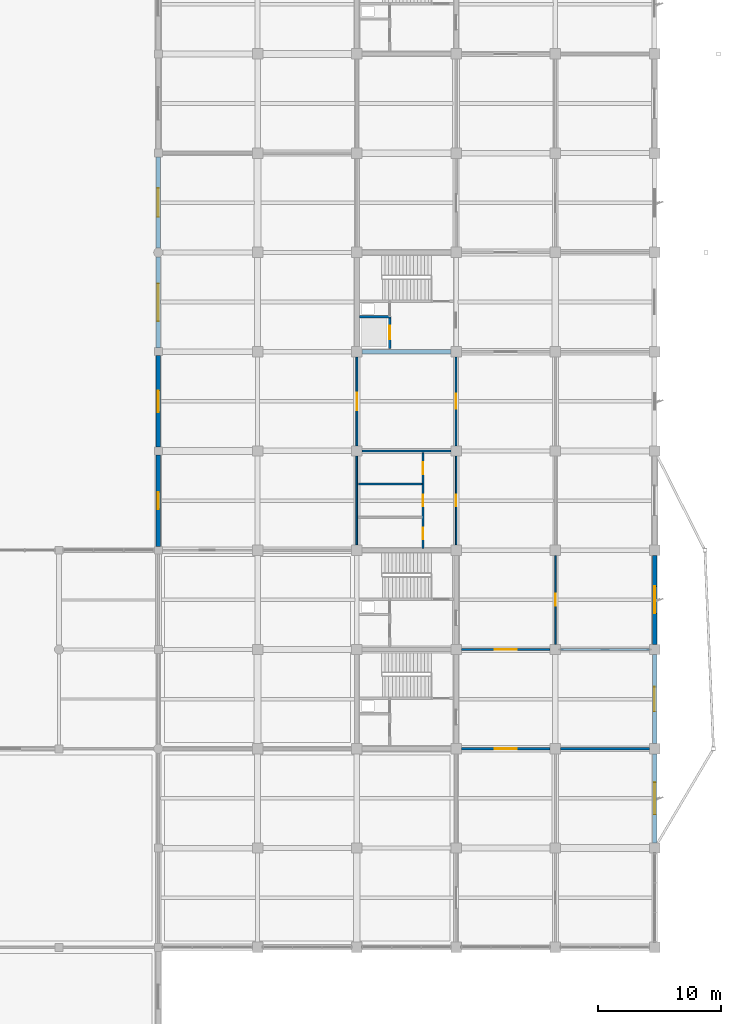
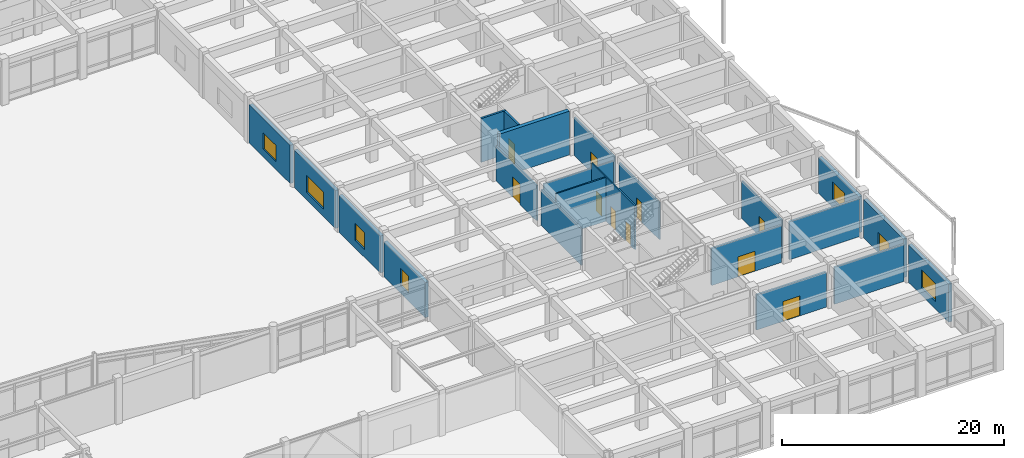
# One storey, part 69 of 99: 22 walls, 11 doors, 6 windows, 17 openings.
"""IFC4 building model written with IfcOpenShell, lengths in metres."""

from ifc_helpers import new_model, si_unit, direction, frame, frame_2d, origin, place, context, subcontext, project, spatial, rectangle, extrude, material, layer, layer_set, type_object, element, fill, save


model = new_model("IFC4")

# Units and contexts
model_context = context("Model", 3, precision=1e-05, world=origin(), true_north=direction((0.0, 1.0)))
body_context = subcontext(model_context, "Body", "Model", "MODEL_VIEW")
ifc_project = project(units=[si_unit("LENGTHUNIT", "METRE"), si_unit("AREAUNIT", "SQUARE_METRE"), si_unit("VOLUMEUNIT", "CUBIC_METRE"), si_unit("PLANEANGLEUNIT", "RADIAN"), si_unit("MASSUNIT", "GRAM", prefix="KILO")], contexts=[model_context])

# Site, building, storey
site_placement = place(None, origin())
site = spatial("IfcSite", under=ifc_project, at=site_placement, CompositionType="ELEMENT")
building_placement = place(site_placement, origin())
building = spatial("IfcBuilding", under=site, at=building_placement, Name="Vaudrelin Polytechnic", CompositionType="ELEMENT")
storey_placement = place(building_placement, origin())
storey = spatial("IfcBuildingStorey", under=building, at=storey_placement, Name="L00", CompositionType="ELEMENT", Elevation=0.0)

# Wall, opening, window
ifc_material_1 = material(Name="Precast concrete 35 MPa with terracotta baguette screen", Category="masonry")
ifc_layer_1 = layer(ifc_material_1, 0.35009765625)
ifc_layer_set_1 = layer_set([ifc_layer_1], Name="Precast concrete 35 MPa with terracotta baguette screen")
wall_type_1 = type_object("IfcWallType", Name="WAL-EW-TERR350", PredefinedType="STANDARD", material=ifc_layer_set_1)
wall_1_placement = place(storey_placement, frame((170.10009765625, 24.722900390625, 0.0), z_axis=(0.0, 0.0, 1.0), x_axis=(0.0, 1.0, 0.0)))
wall_1 = element("IfcWall", 1, at=wall_1_placement, inside=storey, type_object=wall_type_1, Name="Exterior wall L00 E_V4_01", PredefinedType="STANDARD", context=body_context, shape_type="SweptSolid", body=[
    extrude(rectangle(XDim=7.254150390625, YDim=0.35009765625, at=frame_2d((3.626953125, 0.0))), origin(), (0.0, 0.0, 1.0), 4.172119140625),
])
opening_1_placement = place(wall_1_placement, frame((2.326904296875, 0.0, 0.85009765625)))
opening_1 = element("IfcOpeningElement", 2, at=opening_1_placement, cuts=wall_1, Name="Opening W-L00-E-V4-02", PredefinedType="OPENING", context=body_context, shape_type="SweptSolid", body=[
    extrude(rectangle(XDim=2.60009765625, YDim=1.949951171875, at=frame_2d((1.300048828125, 0.97509765625))), frame((0.0, 0.18505859375, 0.0), z_axis=(0.0, -1.0, 0.0), x_axis=(1.0, 0.0, 0.0)), (0.0, 0.0, 1.0), 0.3701171875),
])
ifc_material_2 = material(Name="Thermally broken aluminium frame with triple low-e glazing", Category="aluminium")
window_type_1 = type_object("IfcWindowType", Name="WIN-WN-12", PartitioningType="SINGLE_PANEL", PredefinedType="WINDOW", material=ifc_material_2)
window_1_placement = place(opening_1_placement, origin())
window_1 = element("IfcWindow", 3, at=window_1_placement, inside=storey, type_object=window_type_1, Name="Facade window L00-E_V4_01", OverallHeight=1.949951171875, OverallWidth=2.60009765625, PartitioningType="SINGLE_PANEL", PredefinedType="WINDOW", context=body_context, shape_type="SweptSolid", body=[
    extrude(rectangle(XDim=2.60009765625, YDim=1.949951171875, at=frame_2d((1.300048828125, 0.97509765625))), frame((0.0, 0.030029296875, 0.0), z_axis=(0.0, -1.0, 0.0), x_axis=(1.0, 0.0, 0.0)), (0.0, 0.0, 1.0), 0.06005859375),
])
fill(opening_1, window_1)

# Wall, opening, door
wall_2_placement = place(storey_placement, frame((170.10009765625, 32.822998046875, 0.0), z_axis=(0.0, 0.0, 1.0), x_axis=(0.0, 1.0, 0.0)))
wall_2 = element("IfcWall", 4, at=wall_2_placement, inside=storey, type_object=wall_type_1, Name="Exterior wall L00 E_V4_02", PredefinedType="STANDARD", context=body_context, shape_type="SweptSolid", body=[
    extrude(rectangle(XDim=7.25390625, YDim=0.35009765625, at=frame_2d((3.626953125, 0.0))), origin(), (0.0, 0.0, 1.0), 4.221923828125),
])
opening_2_placement = place(wall_2_placement, frame((4.626953125, 0.0, 0.0), z_axis=(0.0, 0.0, 1.0), x_axis=(-1.0, 0.0, 0.0)))
opening_2 = element("IfcOpeningElement", 5, at=opening_2_placement, cuts=wall_2, Name="Opening ED-00-07", PredefinedType="OPENING", context=body_context, shape_type="SweptSolid", body=[
    extrude(rectangle(XDim=2.0, YDim=2.199951171875, at=frame_2d((1.0, 1.10009765625))), frame((0.0, 0.18505859375, 0.0), z_axis=(0.0, -1.0, 0.0), x_axis=(1.0, 0.0, 0.0)), (0.0, 0.0, 1.0), 0.3701171875),
])
ifc_material_3 = material(Name="Thermally broken anodised aluminium AA 6063-T6", Category="aluminium")
door_type_1 = type_object("IfcDoorType", Name="DOR-ED-02", OperationType="DOUBLE_SWING_LEFT", PredefinedType="DOOR", material=ifc_material_3)
door_1_placement = place(opening_2_placement, origin())
door_1 = element("IfcDoor", 6, at=door_1_placement, inside=storey, type_object=door_type_1, Name="Exterior exit door ED-00-07", OperationType="DOUBLE_SWING_LEFT", OverallHeight=2.199951171875, OverallWidth=2.0, PredefinedType="DOOR", context=body_context, shape_type="SweptSolid", body=[
    extrude(rectangle(XDim=2.0, YDim=2.199951171875, at=frame_2d((1.0, 1.10009765625))), frame((0.0, 0.02490234375, 0.0), z_axis=(0.0, -1.0, 0.0), x_axis=(1.0, 0.0, 0.0)), (0.0, 0.0, 1.0), 0.050048828125),
])
fill(opening_2, door_1)

# Wall, opening, window
wall_3_placement = place(storey_placement, frame((170.10009765625, 40.923095703125, 0.0), z_axis=(0.0, 0.0, 1.0), x_axis=(0.0, 1.0, 0.0)))
wall_3 = element("IfcWall", 7, at=wall_3_placement, inside=storey, type_object=wall_type_1, Name="Exterior wall L00 E_V4_03", PredefinedType="STANDARD", context=body_context, shape_type="SweptSolid", body=[
    extrude(rectangle(XDim=7.25390625, YDim=0.35009765625, at=frame_2d((3.626953125, 0.0))), origin(), (0.0, 0.0, 1.0), 3.971923828125),
])
opening_3_placement = place(wall_3_placement, frame((2.527099609375, 0.0, 0.85009765625)))
opening_3 = element("IfcOpeningElement", 8, at=opening_3_placement, cuts=wall_3, Name="Opening W-L00-E-V4-04", PredefinedType="OPENING", context=body_context, shape_type="SweptSolid", body=[
    extrude(rectangle(XDim=2.199951171875, YDim=1.949951171875, at=frame_2d((1.10009765625, 0.97509765625))), frame((0.0, 0.18505859375, 0.0), z_axis=(0.0, -1.0, 0.0), x_axis=(1.0, 0.0, 0.0)), (0.0, 0.0, 1.0), 0.3701171875),
])
window_type_2 = type_object("IfcWindowType", Name="WIN-WN-13", PartitioningType="SINGLE_PANEL", PredefinedType="WINDOW", material=ifc_material_2)
window_2_placement = place(opening_3_placement, origin())
window_2 = element("IfcWindow", 9, at=window_2_placement, inside=storey, type_object=window_type_2, Name="Facade window L00-E_V4_03", OverallHeight=1.949951171875, OverallWidth=2.199951171875, PartitioningType="SINGLE_PANEL", PredefinedType="WINDOW", context=body_context, shape_type="SweptSolid", body=[
    extrude(rectangle(XDim=2.199951171875, YDim=1.949951171875, at=frame_2d((1.10009765625, 0.97509765625))), frame((0.0, 0.030029296875, 0.0), z_axis=(0.0, -1.0, 0.0), x_axis=(1.0, 0.0, 0.0)), (0.0, 0.0, 1.0), 0.06005859375),
])
fill(opening_3, window_2)

wall_4_placement = place(storey_placement, frame((129.60009765625, 48.923095703125, 0.0), z_axis=(0.0, 0.0, 1.0), x_axis=(0.0, 1.0, 0.0)))
wall_4 = element("IfcWall", 10, at=wall_4_placement, inside=storey, type_object=wall_type_1, Name="Exterior wall L00 CT_E_00", PredefinedType="STANDARD", context=body_context, shape_type="SweptSolid", body=[
    extrude(rectangle(XDim=7.453857421875, YDim=0.35009765625, at=frame_2d((3.72705078125, 0.0))), origin(), (0.0, 0.0, 1.0), 3.8720703125),
])
opening_4_placement = place(wall_4_placement, frame((3.027099609375, 0.0, 0.85009765625)))
opening_4 = element("IfcOpeningElement", 11, at=opening_4_placement, cuts=wall_4, Name="Opening W-L00-CT-E-01", PredefinedType="OPENING", context=body_context, shape_type="SweptSolid", body=[
    extrude(rectangle(XDim=1.39990234375, YDim=1.89990234375, at=frame_2d((0.699951171875, 0.949951171875))), frame((0.0, 0.18505859375, 0.0), z_axis=(0.0, -1.0, 0.0), x_axis=(1.0, 0.0, 0.0)), (0.0, 0.0, 1.0), 0.3701171875),
])
window_type_3 = type_object("IfcWindowType", Name="WIN-WN-28", PartitioningType="SINGLE_PANEL", PredefinedType="WINDOW", material=ifc_material_2)
window_3_placement = place(opening_4_placement, origin())
window_3 = element("IfcWindow", 12, at=window_3_placement, inside=storey, type_object=window_type_3, Name="Facade window L00-CT_E_00", OverallHeight=1.89990234375, OverallWidth=1.39990234375, PartitioningType="SINGLE_PANEL", PredefinedType="WINDOW", context=body_context, shape_type="SweptSolid", body=[
    extrude(rectangle(XDim=1.39990234375, YDim=1.89990234375, at=frame_2d((0.699951171875, 0.949951171875))), frame((0.0, 0.030029296875, 0.0), z_axis=(0.0, -1.0, 0.0), x_axis=(1.0, 0.0, 0.0)), (0.0, 0.0, 1.0), 0.06005859375),
])
fill(opening_4, window_3)

wall_5_placement = place(storey_placement, frame((129.60009765625, 57.02294921875, 0.0), z_axis=(0.0, 0.0, 1.0), x_axis=(0.0, 1.0, 0.0)))
wall_5 = element("IfcWall", 13, at=wall_5_placement, inside=storey, type_object=wall_type_1, Name="Exterior wall L00 CT_E_01", PredefinedType="STANDARD", context=body_context, shape_type="SweptSolid", body=[
    extrude(rectangle(XDim=7.4541015625, YDim=0.35009765625, at=frame_2d((3.72705078125, 0.0))), origin(), (0.0, 0.0, 1.0), 4.072021484375),
])
opening_5_placement = place(wall_5_placement, frame((2.85205078125, 0.0, 0.85009765625)))
opening_5 = element("IfcOpeningElement", 14, at=opening_5_placement, cuts=wall_5, Name="Opening W-L00-CT-E-02", PredefinedType="OPENING", context=body_context, shape_type="SweptSolid", body=[
    extrude(rectangle(XDim=1.75, YDim=1.89990234375, at=frame_2d((0.875, 0.949951171875))), frame((0.0, 0.18505859375, 0.0), z_axis=(0.0, -1.0, 0.0), x_axis=(1.0, 0.0, 0.0)), (0.0, 0.0, 1.0), 0.3701171875),
])
window_type_4 = type_object("IfcWindowType", Name="WIN-WN-29", PartitioningType="SINGLE_PANEL", PredefinedType="WINDOW", material=ifc_material_2)
window_4_placement = place(opening_5_placement, origin())
window_4 = element("IfcWindow", 15, at=window_4_placement, inside=storey, type_object=window_type_4, Name="Facade window L00-CT_E_01", OverallHeight=1.89990234375, OverallWidth=1.75, PartitioningType="SINGLE_PANEL", PredefinedType="WINDOW", context=body_context, shape_type="SweptSolid", body=[
    extrude(rectangle(XDim=1.75, YDim=1.89990234375, at=frame_2d((0.875, 0.949951171875))), frame((0.0, 0.030029296875, 0.0), z_axis=(0.0, -1.0, 0.0), x_axis=(1.0, 0.0, 0.0)), (0.0, 0.0, 1.0), 0.06005859375),
])
fill(opening_5, window_4)

wall_6_placement = place(storey_placement, frame((129.60009765625, 65.123046875, 0.0), z_axis=(0.0, 0.0, 1.0), x_axis=(0.0, 1.0, 0.0)))
wall_6 = element("IfcWall", 16, at=wall_6_placement, inside=storey, type_object=wall_type_1, Name="Exterior wall L00 CT_E_02", PredefinedType="STANDARD", context=body_context, shape_type="SweptSolid", body=[
    extrude(rectangle(XDim=7.404052734375, YDim=0.35009765625, at=frame_2d((3.7021484375, 0.0))), origin(), (0.0, 0.0, 1.0), 4.172119140625),
])
opening_6_placement = place(wall_6_placement, frame((2.177001953125, 0.0, 0.85009765625)))
opening_6 = element("IfcOpeningElement", 17, at=opening_6_placement, cuts=wall_6, Name="Opening W-L00-CT-E-03", PredefinedType="OPENING", context=body_context, shape_type="SweptSolid", body=[
    extrude(rectangle(XDim=3.050048828125, YDim=1.85009765625, at=frame_2d((1.52490234375, 0.925048828125))), frame((0.0, 0.18505859375, 0.0), z_axis=(0.0, -1.0, 0.0), x_axis=(1.0, 0.0, 0.0)), (0.0, 0.0, 1.0), 0.3701171875),
])
window_type_5 = type_object("IfcWindowType", Name="WIN-WN-30", PartitioningType="SINGLE_PANEL", PredefinedType="WINDOW", material=ifc_material_2)
window_5_placement = place(opening_6_placement, origin())
window_5 = element("IfcWindow", 18, at=window_5_placement, inside=storey, type_object=window_type_5, Name="Facade window L00-CT_E_02", OverallHeight=1.85009765625, OverallWidth=3.050048828125, PartitioningType="SINGLE_PANEL", PredefinedType="WINDOW", context=body_context, shape_type="SweptSolid", body=[
    extrude(rectangle(XDim=3.050048828125, YDim=1.85009765625, at=frame_2d((1.52490234375, 0.925048828125))), frame((0.0, 0.030029296875, 0.0), z_axis=(0.0, -1.0, 0.0), x_axis=(1.0, 0.0, 0.0)), (0.0, 0.0, 1.0), 0.06005859375),
])
fill(opening_6, window_5)

wall_7_placement = place(storey_placement, frame((129.60009765625, 73.27294921875, 0.0), z_axis=(0.0, 0.0, 1.0), x_axis=(0.0, 1.0, 0.0)))
wall_7 = element("IfcWall", 19, at=wall_7_placement, inside=storey, type_object=wall_type_1, Name="Exterior wall L00 CT_E_03", PredefinedType="STANDARD", context=body_context, shape_type="SweptSolid", body=[
    extrude(rectangle(XDim=7.404052734375, YDim=0.35009765625, at=frame_2d((3.7021484375, 0.0))), origin(), (0.0, 0.0, 1.0), 4.221923828125),
])
opening_7_placement = place(wall_7_placement, frame((2.527099609375, 0.0, 0.85009765625)))
opening_7 = element("IfcOpeningElement", 20, at=opening_7_placement, cuts=wall_7, Name="Opening W-L00-CT-E-04", PredefinedType="OPENING", context=body_context, shape_type="SweptSolid", body=[
    extrude(rectangle(XDim=2.35009765625, YDim=1.800048828125, at=frame_2d((1.175048828125, 0.89990234375))), frame((0.0, 0.18505859375, 0.0), z_axis=(0.0, -1.0, 0.0), x_axis=(1.0, 0.0, 0.0)), (0.0, 0.0, 1.0), 0.3701171875),
])
window_type_6 = type_object("IfcWindowType", Name="WIN-WN-31", PartitioningType="SINGLE_PANEL", PredefinedType="WINDOW", material=ifc_material_2)
window_6_placement = place(opening_7_placement, origin())
window_6 = element("IfcWindow", 21, at=window_6_placement, inside=storey, type_object=window_type_6, Name="Facade window L00-CT_E_03", OverallHeight=1.800048828125, OverallWidth=2.35009765625, PartitioningType="SINGLE_PANEL", PredefinedType="WINDOW", context=body_context, shape_type="SweptSolid", body=[
    extrude(rectangle(XDim=2.35009765625, YDim=1.800048828125, at=frame_2d((1.175048828125, 0.89990234375))), frame((0.0, 0.030029296875, 0.0), z_axis=(0.0, -1.0, 0.0), x_axis=(1.0, 0.0, 0.0)), (0.0, 0.0, 1.0), 0.06005859375),
])
fill(opening_7, window_6)

# Walls
ifc_material_4 = material(Name="Acoustic double-stud gypsum & mineral-wool partition", Category="gypsum")
ifc_layer_2 = layer(ifc_material_4, 0.179931640625)
ifc_layer_set_2 = layer_set([ifc_layer_2], Name="Acoustic double-stud gypsum & mineral-wool partition")
wall_type_2 = type_object("IfcWallType", Name="WAL-PW-AC180", PredefinedType="PARTITIONING", material=ifc_layer_set_2)
wall_8_placement = place(storey_placement, frame((162.423095703125, 32.39990234375, 0.0), z_axis=(0.0, 0.0, 1.0), x_axis=(1.0, 0.0, 0.0)))
element("IfcWall", 22, at=wall_8_placement, inside=storey, type_object=wall_type_2, Name="Partition L00-033 N", PredefinedType="PARTITIONING", context=body_context, shape_type="SweptSolid", body=[
    extrude(rectangle(XDim=7.25390625, YDim=0.179931640625, at=frame_2d((3.626953125, 0.0))), origin(), (0.0, 0.0, 1.0), 4.072021484375),
])
ifc_material_5 = material(Name="Concrete masonry unit 20 MPa shaft & corridor fire wall", Category="masonry")
ifc_layer_3 = layer(ifc_material_5, 0.199951171875)
ifc_layer_set_3 = layer_set([ifc_layer_3], Name="Concrete masonry unit 20 MPa shaft & corridor fire wall")
wall_type_3 = type_object("IfcWallType", Name="WAL-PW-FIRE120", PredefinedType="PARTITIONING", material=ifc_layer_set_3)
wall_9_placement = place(storey_placement, frame((162.423095703125, 40.5, 0.0), z_axis=(0.0, 0.0, 1.0), x_axis=(1.0, 0.0, 0.0)))
element("IfcWall", 23, at=wall_9_placement, inside=storey, type_object=wall_type_3, Name="Partition L00-034 S", PredefinedType="PARTITIONING", context=body_context, shape_type="SweptSolid", body=[
    extrude(rectangle(XDim=7.25390625, YDim=0.199951171875, at=frame_2d((3.626953125, 0.0))), origin(), (0.0, 0.0, 1.0), 4.172119140625),
])

# Wall, opening, door
wall_10_placement = place(storey_placement, frame((154.322998046875, 32.39990234375, 0.0), z_axis=(0.0, 0.0, 1.0), x_axis=(1.0, 0.0, 0.0)))
wall_10 = element("IfcWall", 24, at=wall_10_placement, inside=storey, type_object=wall_type_3, Name="Interior partition L00 19-4 to 20-4", PredefinedType="PARTITIONING", context=body_context, shape_type="SweptSolid", body=[
    extrude(rectangle(XDim=7.25390625, YDim=0.199951171875, at=frame_2d((3.626953125, 0.0))), origin(), (0.0, 0.0, 1.0), 3.8720703125),
])
opening_8_placement = place(wall_10_placement, frame((2.72705078125, 0.0, 0.0)))
opening_8 = element("IfcOpeningElement", 25, at=opening_8_placement, cuts=wall_10, Name="Opening D-L00-605", PredefinedType="OPENING", context=body_context, shape_type="SweptSolid", body=[
    extrude(rectangle(XDim=1.800048828125, YDim=2.199951171875, at=frame_2d((0.89990234375, 1.10009765625))), frame((0.0, 0.10986328125, 0.0), z_axis=(0.0, -1.0, 0.0), x_axis=(1.0, 0.0, 0.0)), (0.0, 0.0, 1.0), 0.219970703125),
])
ifc_material_6 = material(Name="Pressed galvanised steel acoustic leaf", Category="steel")
door_type_2 = type_object("IfcDoorType", Name="DOR-ID-DBL1", OperationType="NOTDEFINED", PredefinedType="DOOR", material=ifc_material_6)
door_2_placement = place(opening_8_placement, origin())
door_2 = element("IfcDoor", 26, at=door_2_placement, inside=storey, type_object=door_type_2, Name="South-east exit passageway south fire door L00", OperationType="DOUBLE_SWING_LEFT", OverallHeight=2.199951171875, OverallWidth=1.800048828125, PredefinedType="DOOR", context=body_context, shape_type="SweptSolid", body=[
    extrude(rectangle(XDim=1.800048828125, YDim=2.199951171875, at=frame_2d((0.89990234375, 1.10009765625))), frame((0.0, 0.02490234375, 0.0), z_axis=(0.0, -1.0, 0.0), x_axis=(1.0, 0.0, 0.0)), (0.0, 0.0, 1.0), 0.050048828125),
])
fill(opening_8, door_2)

wall_11_placement = place(storey_placement, frame((154.322998046875, 40.5, 0.0), z_axis=(0.0, 0.0, 1.0), x_axis=(1.0, 0.0, 0.0)))
wall_11 = element("IfcWall", 27, at=wall_11_placement, inside=storey, type_object=wall_type_3, Name="Interior partition L00 19-5 to 20-5", PredefinedType="PARTITIONING", context=body_context, shape_type="SweptSolid", body=[
    extrude(rectangle(XDim=7.25390625, YDim=0.199951171875, at=frame_2d((3.626953125, 0.0))), origin(), (0.0, 0.0, 1.0), 4.072021484375),
])
opening_9_placement = place(wall_11_placement, frame((2.72705078125, 0.0, 0.0)))
opening_9 = element("IfcOpeningElement", 28, at=opening_9_placement, cuts=wall_11, Name="Opening D-L00-606", PredefinedType="OPENING", context=body_context, shape_type="SweptSolid", body=[
    extrude(rectangle(XDim=1.800048828125, YDim=2.199951171875, at=frame_2d((0.89990234375, 1.10009765625))), frame((0.0, 0.10986328125, 0.0), z_axis=(0.0, -1.0, 0.0), x_axis=(1.0, 0.0, 0.0)), (0.0, 0.0, 1.0), 0.219970703125),
])
door_3_placement = place(opening_9_placement, origin())
door_3 = element("IfcDoor", 29, at=door_3_placement, inside=storey, type_object=door_type_2, Name="South-east exit passageway north fire door L00", OperationType="DOUBLE_SWING_LEFT", OverallHeight=2.199951171875, OverallWidth=1.800048828125, PredefinedType="DOOR", context=body_context, shape_type="SweptSolid", body=[
    extrude(rectangle(XDim=1.800048828125, YDim=2.199951171875, at=frame_2d((0.89990234375, 1.10009765625))), frame((0.0, 0.02490234375, 0.0), z_axis=(0.0, -1.0, 0.0), x_axis=(1.0, 0.0, 0.0)), (0.0, 0.0, 1.0), 0.050048828125),
])
fill(opening_9, door_3)

ifc_material_7 = material(Name="Moisture- and chemical-resistant laboratory partition", Category="gypsum")
ifc_layer_4 = layer(ifc_material_7, 0.159912109375)
ifc_layer_set_4 = layer_set([ifc_layer_4], Name="Moisture- and chemical-resistant laboratory partition")
wall_type_4 = type_object("IfcWallType", Name="WAL-PW-LAB160", PredefinedType="PARTITIONING", material=ifc_layer_set_4)
wall_12_placement = place(storey_placement, frame((145.800048828125, 57.123046875, 0.0), z_axis=(0.0, 0.0, 1.0), x_axis=(0.0, 1.0, 0.0)))
wall_12 = element("IfcWall", 30, at=wall_12_placement, inside=storey, type_object=wall_type_4, Name="Partition L00-022 E", PredefinedType="PARTITIONING", context=body_context, shape_type="SweptSolid", body=[
    extrude(rectangle(XDim=7.25390625, YDim=0.159912109375, at=frame_2d((3.626953125, 0.0))), origin(), (0.0, 0.0, 1.0), 3.8720703125),
])
opening_10_placement = place(wall_12_placement, frame((2.9169921875, 0.0, 0.0)))
opening_10 = element("IfcOpeningElement", 31, at=opening_10_placement, cuts=wall_12, Name="Opening D-L00-437", PredefinedType="OPENING", context=body_context, shape_type="SweptSolid", body=[
    extrude(rectangle(XDim=1.419921875, YDim=2.25, at=frame_2d((0.7099609375, 1.125))), frame((0.0, 0.08984375, 0.0), z_axis=(0.0, -1.0, 0.0), x_axis=(1.0, 0.0, 0.0)), (0.0, 0.0, 1.0), 0.179931640625),
])
door_type_3 = type_object("IfcDoorType", Name="DOR-ID-LAB4", OperationType="NOTDEFINED", PredefinedType="DOOR", material=ifc_material_6)
door_4_placement = place(opening_10_placement, origin())
door_4 = element("IfcDoor", 32, at=door_4_placement, inside=storey, type_object=door_type_3, Name="Structural Materials Testing Laboratory door L00-022", OperationType="DOUBLE_SWING_LEFT", OverallHeight=2.25, OverallWidth=1.419921875, PredefinedType="DOOR", context=body_context, shape_type="SweptSolid", body=[
    extrude(rectangle(XDim=1.419921875, YDim=2.25, at=frame_2d((0.7099609375, 1.125))), frame((0.0, 0.02490234375, 0.0), z_axis=(0.0, -1.0, 0.0), x_axis=(1.0, 0.0, 0.0)), (0.0, 0.0, 1.0), 0.050048828125),
])
fill(opening_10, door_4)

wall_13_placement = place(storey_placement, frame((153.89990234375, 57.123046875, 0.0), z_axis=(0.0, 0.0, 1.0), x_axis=(0.0, 1.0, 0.0)))
wall_13 = element("IfcWall", 33, at=wall_13_placement, inside=storey, type_object=wall_type_4, Name="Partition L00-042 E", PredefinedType="PARTITIONING", context=body_context, shape_type="SweptSolid", body=[
    extrude(rectangle(XDim=7.25390625, YDim=0.159912109375, at=frame_2d((3.626953125, 0.0))), origin(), (0.0, 0.0, 1.0), 4.172119140625),
])
opening_11_placement = place(wall_13_placement, frame((3.027099609375, 0.0, 0.0)))
opening_11 = element("IfcOpeningElement", 34, at=opening_11_placement, cuts=wall_13, Name="Opening D-L00-445", PredefinedType="OPENING", context=body_context, shape_type="SweptSolid", body=[
    extrude(rectangle(XDim=1.199951171875, YDim=2.199951171875, at=frame_2d((0.60009765625, 1.10009765625))), frame((0.0, 0.08984375, 0.0), z_axis=(0.0, -1.0, 0.0), x_axis=(1.0, 0.0, 0.0)), (0.0, 0.0, 1.0), 0.179931640625),
])
door_type_4 = type_object("IfcDoorType", Name="DOR-ID-LAB2", OperationType="NOTDEFINED", PredefinedType="DOOR", material=ifc_material_6)
door_5_placement = place(opening_11_placement, origin())
door_5 = element("IfcDoor", 35, at=door_5_placement, inside=storey, type_object=door_type_4, Name="Materials Specimen Prep Room door L00-042", OperationType="SINGLE_SWING_LEFT", OverallHeight=2.199951171875, OverallWidth=1.199951171875, PredefinedType="DOOR", context=body_context, shape_type="SweptSolid", body=[
    extrude(rectangle(XDim=1.199951171875, YDim=2.199951171875, at=frame_2d((0.60009765625, 1.10009765625))), frame((0.0, 0.02490234375, 0.0), z_axis=(0.0, -1.0, 0.0), x_axis=(1.0, 0.0, 0.0)), (0.0, 0.0, 1.0), 0.050048828125),
])
fill(opening_11, door_5)

ifc_material_8 = material(Name="Acoustic steel-stud office & study room partition", Category="steel")
ifc_layer_5 = layer(ifc_material_8, 0.135009765625)
ifc_layer_set_5 = layer_set([ifc_layer_5], Name="Acoustic steel-stud office & study room partition")
wall_type_5 = type_object("IfcWallType", Name="WAL-PW-OFF135", PredefinedType="PARTITIONING", material=ifc_layer_set_5)
wall_14_placement = place(storey_placement, frame((162.0, 40.923095703125, 0.0), z_axis=(0.0, 0.0, 1.0), x_axis=(0.0, 1.0, 0.0)))
wall_14 = element("IfcWall", 36, at=wall_14_placement, inside=storey, type_object=wall_type_5, Name="Partition L00-034 W", PredefinedType="PARTITIONING", context=body_context, shape_type="SweptSolid", body=[
    extrude(rectangle(XDim=7.25390625, YDim=0.135009765625, at=frame_2d((3.626953125, 0.0))), origin(), (0.0, 0.0, 1.0), 4.172119140625),
])
opening_12_placement = place(wall_14_placement, frame((3.14697265625, 0.0, 0.0)))
opening_12 = element("IfcOpeningElement", 37, at=opening_12_placement, cuts=wall_14, Name="Opening D-L00-442", PredefinedType="OPENING", context=body_context, shape_type="SweptSolid", body=[
    extrude(rectangle(XDim=0.9599609375, YDim=2.14990234375, at=frame_2d((0.47998046875, 1.074951171875))), frame((0.0, 0.07763671875, 0.0), z_axis=(0.0, -1.0, 0.0), x_axis=(1.0, 0.0, 0.0)), (0.0, 0.0, 1.0), 0.155029296875),
])
ifc_material_9 = material(Name="Solid-core birch veneer acoustic leaf", Category="wood")
door_type_5 = type_object("IfcDoorType", Name="DOR-ID-OFF2", OperationType="NOTDEFINED", PredefinedType="DOOR", material=ifc_material_9)
door_6_placement = place(opening_12_placement, origin())
door_6 = element("IfcDoor", 38, at=door_6_placement, inside=storey, type_object=door_type_5, Name="Student Admissions and Registrar Commons door L00-034", OperationType="SINGLE_SWING_LEFT", OverallHeight=2.14990234375, OverallWidth=0.9599609375, PredefinedType="DOOR", context=body_context, shape_type="SweptSolid", body=[
    extrude(rectangle(XDim=0.9599609375, YDim=2.14990234375, at=frame_2d((0.47998046875, 1.074951171875))), frame((0.0, 0.02490234375, 0.0), z_axis=(0.0, -1.0, 0.0), x_axis=(1.0, 0.0, 0.0)), (0.0, 0.0, 1.0), 0.050048828125),
])
fill(opening_12, door_6)

# Walls
ifc_material_10 = material(Name="Cement-board tiled wet-wall washroom partition", Category="gypsum")
ifc_layer_6 = layer(ifc_material_10, 0.139892578125)
ifc_layer_set_6 = layer_set([ifc_layer_6], Name="Cement-board tiled wet-wall washroom partition")
wall_type_6 = type_object("IfcWallType", Name="WAL-PW-WC140", PredefinedType="PARTITIONING", material=ifc_layer_set_6)
wall_15_placement = place(storey_placement, frame((146.222900390625, 56.699951171875, 0.0), z_axis=(0.0, 0.0, 1.0), x_axis=(1.0, 0.0, 0.0)))
element("IfcWall", 39, at=wall_15_placement, inside=storey, type_object=wall_type_6, Name="Washroom enclosure wall L00-18-6-N", PredefinedType="PARTITIONING", context=body_context, shape_type="SweptSolid", body=[
    extrude(rectangle(XDim=7.254150390625, YDim=0.139892578125, at=frame_2d((3.626953125, 0.0))), origin(), (0.0, 0.0, 1.0), 4.169921875),
])
wall_16_placement = place(storey_placement, frame((145.800048828125, 49.02294921875, 0.0), z_axis=(0.0, 0.0, 1.0), x_axis=(0.0, 1.0, 0.0)))
element("IfcWall", 40, at=wall_16_placement, inside=storey, type_object=wall_type_6, Name="Washroom enclosure wall L00-18-6-W", PredefinedType="PARTITIONING", context=body_context, shape_type="SweptSolid", body=[
    extrude(rectangle(XDim=7.254150390625, YDim=0.139892578125, at=frame_2d((3.626953125, 0.0))), origin(), (0.0, 0.0, 1.0), 3.969970703125),
])

# Wall, opening, door
wall_17_placement = place(storey_placement, frame((153.89990234375, 49.02294921875, 0.0), z_axis=(0.0, 0.0, 1.0), x_axis=(0.0, 1.0, 0.0)))
wall_17 = element("IfcWall", 41, at=wall_17_placement, inside=storey, type_object=wall_type_6, Name="Washroom enclosure wall L00-18-6-E", PredefinedType="PARTITIONING", context=body_context, shape_type="SweptSolid", body=[
    extrude(rectangle(XDim=7.254150390625, YDim=0.139892578125, at=frame_2d((3.626953125, 0.0))), origin(), (0.0, 0.0, 1.0), 4.070068359375),
])
opening_13_placement = place(wall_17_placement, frame((3.1669921875, 0.0, 0.0)))
opening_13 = element("IfcOpeningElement", 42, at=opening_13_placement, cuts=wall_17, Name="Opening D-L00-341", PredefinedType="OPENING", context=body_context, shape_type="SweptSolid", body=[
    extrude(rectangle(XDim=0.919921875, YDim=2.14990234375, at=frame_2d((0.4599609375, 1.074951171875))), frame((0.0, 0.080078125, 0.0), z_axis=(0.0, -1.0, 0.0), x_axis=(1.0, 0.0, 0.0)), (0.0, 0.0, 1.0), 0.159912109375),
])
door_type_6 = type_object("IfcDoorType", Name="DOR-ID-WC1", OperationType="NOTDEFINED", PredefinedType="DOOR", material=ifc_material_9)
door_7_placement = place(opening_13_placement, origin())
door_7 = element("IfcDoor", 43, at=door_7_placement, inside=storey, type_object=door_type_6, Name="Washroom vestibule door L00-18-6-E", OperationType="SINGLE_SWING_LEFT", OverallHeight=2.14990234375, OverallWidth=0.919921875, PredefinedType="DOOR", context=body_context, shape_type="SweptSolid", body=[
    extrude(rectangle(XDim=0.919921875, YDim=2.14990234375, at=frame_2d((0.4599609375, 1.074951171875))), frame((0.0, 0.02490234375, 0.0), z_axis=(0.0, -1.0, 0.0), x_axis=(1.0, 0.0, 0.0)), (0.0, 0.0, 1.0), 0.050048828125),
])
fill(opening_13, door_7)

# Wall, openings, doors
wall_18_placement = place(storey_placement, frame((151.199951171875, 48.75, 0.0), z_axis=(0.0, 0.0, 1.0), x_axis=(0.0, 1.0, 0.0)))
wall_18 = element("IfcWall", 44, at=wall_18_placement, inside=storey, type_object=wall_type_6, Name="Washroom vestibule divider L00-18-6", PredefinedType="PARTITIONING", context=body_context, shape_type="SweptSolid", body=[
    extrude(rectangle(XDim=7.800048828125, YDim=0.139892578125, at=frame_2d((3.89990234375, 0.0))), origin(), (0.0, 0.0, 1.0), 4.822021484375),
])
opening_14_placement = place(wall_18_placement, frame((0.75, 0.0, 0.0)))
opening_14 = element("IfcOpeningElement", 45, at=opening_14_placement, cuts=wall_18, Name="Opening D-L00-342", PredefinedType="OPENING", context=body_context, shape_type="SweptSolid", body=[
    extrude(rectangle(XDim=0.919921875, YDim=2.14990234375, at=frame_2d((0.4599609375, 1.074951171875))), frame((0.0, 0.080078125, 0.0), z_axis=(0.0, -1.0, 0.0), x_axis=(1.0, 0.0, 0.0)), (0.0, 0.0, 1.0), 0.159912109375),
])
opening_15_placement = place(wall_18_placement, frame((3.43994140625, 0.0, 0.0)))
opening_15 = element("IfcOpeningElement", 46, at=opening_15_placement, cuts=wall_18, Name="Opening D-L00-343", PredefinedType="OPENING", context=body_context, shape_type="SweptSolid", body=[
    extrude(rectangle(XDim=0.919921875, YDim=2.14990234375, at=frame_2d((0.4599609375, 1.074951171875))), frame((0.0, 0.080078125, 0.0), z_axis=(0.0, -1.0, 0.0), x_axis=(1.0, 0.0, 0.0)), (0.0, 0.0, 1.0), 0.159912109375),
])
opening_16_placement = place(wall_18_placement, frame((6.050048828125, 0.0, 0.0)))
opening_16 = element("IfcOpeningElement", 47, at=opening_16_placement, cuts=wall_18, Name="Opening D-L00-344", PredefinedType="OPENING", context=body_context, shape_type="SweptSolid", body=[
    extrude(rectangle(XDim=1.0, YDim=2.14990234375, at=frame_2d((0.5, 1.074951171875))), frame((0.0, 0.080078125, 0.0), z_axis=(0.0, -1.0, 0.0), x_axis=(1.0, 0.0, 0.0)), (0.0, 0.0, 1.0), 0.159912109375),
])
door_type_7 = type_object("IfcDoorType", Name="DOR-ID-AWC1", OperationType="NOTDEFINED", PredefinedType="DOOR", material=ifc_material_9)
door_8_placement = place(opening_16_placement, origin())
door_8 = element("IfcDoor", 48, at=door_8_placement, inside=storey, type_object=door_type_7, Name="Washroom stall-room door L00-18-6-3", OperationType="SINGLE_SWING_LEFT", OverallHeight=2.14990234375, OverallWidth=1.0, PredefinedType="DOOR", context=body_context, shape_type="SweptSolid", body=[
    extrude(rectangle(XDim=1.0, YDim=2.14990234375, at=frame_2d((0.5, 1.074951171875))), frame((0.0, 0.02490234375, 0.0), z_axis=(0.0, -1.0, 0.0), x_axis=(1.0, 0.0, 0.0)), (0.0, 0.0, 1.0), 0.050048828125),
])
fill(opening_16, door_8)
door_9_placement = place(opening_14_placement, origin())
door_9 = element("IfcDoor", 49, at=door_9_placement, inside=storey, type_object=door_type_6, Name="Washroom stall-room door L00-18-6-1", OperationType="SINGLE_SWING_LEFT", OverallHeight=2.14990234375, OverallWidth=0.919921875, PredefinedType="DOOR", context=body_context, shape_type="SweptSolid", body=[
    extrude(rectangle(XDim=0.919921875, YDim=2.14990234375, at=frame_2d((0.4599609375, 1.074951171875))), frame((0.0, 0.02490234375, 0.0), z_axis=(0.0, -1.0, 0.0), x_axis=(1.0, 0.0, 0.0)), (0.0, 0.0, 1.0), 0.050048828125),
])
fill(opening_14, door_9)
door_10_placement = place(opening_15_placement, origin())
door_10 = element("IfcDoor", 50, at=door_10_placement, inside=storey, type_object=door_type_6, Name="Washroom stall-room door L00-18-6-2", OperationType="SINGLE_SWING_RIGHT", OverallHeight=2.14990234375, OverallWidth=0.919921875, PredefinedType="DOOR", context=body_context, shape_type="SweptSolid", body=[
    extrude(rectangle(XDim=0.919921875, YDim=2.14990234375, at=frame_2d((0.4599609375, 1.074951171875))), frame((0.0, 0.02490234375, 0.0), z_axis=(0.0, -1.0, 0.0), x_axis=(1.0, 0.0, 0.0)), (0.0, 0.0, 1.0), 0.050048828125),
])
fill(opening_15, door_10)

# Wall
wall_19_placement = place(storey_placement, frame((145.949951171875, 54.0, 0.0), z_axis=(0.0, 0.0, 1.0), x_axis=(1.0, 0.0, 0.0)))
element("IfcWall", 51, at=wall_19_placement, inside=storey, type_object=wall_type_6, Name="Washroom separation wall L00-18-6-2", PredefinedType="PARTITIONING", context=body_context, shape_type="SweptSolid", body=[
    extrude(rectangle(XDim=5.179931640625, YDim=0.139892578125, at=frame_2d((2.58984375, 0.0))), origin(), (0.0, 0.0, 1.0), 4.822021484375),
])

# Wall, opening, door
ifc_material_11 = material(Name="Concrete 40 MPa", Category="concrete")
ifc_layer_7 = layer(ifc_material_11, 0.199951171875)
ifc_layer_set_7 = layer_set([ifc_layer_7], Name="Concrete 40 MPa")
wall_type_7 = type_object("IfcWallType", Name="WAL-SW-CORE200", PredefinedType="SHEAR", material=ifc_layer_set_7)
wall_20_placement = place(storey_placement, frame((148.47998046875, 65.050048828125, 0.0), z_axis=(0.0, 0.0, 1.0), x_axis=(0.0, 1.0, 0.0)))
wall_20 = element("IfcWall", 52, at=wall_20_placement, inside=storey, type_object=wall_type_7, Name="Lift LF-07 shaft front wall L00", PredefinedType="SHEAR", context=body_context, shape_type="SweptSolid", body=[
    extrude(rectangle(XDim=2.599853515625, YDim=0.199951171875, at=frame_2d((1.2998046875, 0.0))), origin(), (0.0, 0.0, 1.0), 4.822021484375),
])
opening_17_placement = place(wall_20_placement, frame((0.75, 0.0, 0.0)))
opening_17 = element("IfcOpeningElement", 53, at=opening_17_placement, cuts=wall_20, Name="Opening LD-LF-07-L00", PredefinedType="OPENING", context=body_context, shape_type="SweptSolid", body=[
    extrude(rectangle(XDim=1.10009765625, YDim=2.199951171875, at=frame_2d((0.550048828125, 1.10009765625))), frame((0.0, 0.10986328125, 0.0), z_axis=(0.0, -1.0, 0.0), x_axis=(1.0, 0.0, 0.0)), (0.0, 0.0, 1.0), 0.219970703125),
])
ifc_material_12 = material(Name="Brushed stainless steel AISI 304", Category="steel")
door_type_8 = type_object("IfcDoorType", Name="DOR-LD-PAX", OperationType="SLIDING_TO_LEFT", PredefinedType="DOOR", material=ifc_material_12)
door_11_placement = place(opening_17_placement, origin())
door_11 = element("IfcDoor", 54, at=door_11_placement, inside=storey, type_object=door_type_8, Name="Lift LF-07 landing door L00", OperationType="SLIDING_TO_LEFT", OverallHeight=2.199951171875, OverallWidth=1.10009765625, PredefinedType="DOOR", context=body_context, shape_type="SweptSolid", body=[
    extrude(rectangle(XDim=1.10009765625, YDim=2.199951171875, at=frame_2d((0.550048828125, 1.10009765625))), frame((0.0, 0.02490234375, 0.0), z_axis=(0.0, -1.0, 0.0), x_axis=(1.0, 0.0, 0.0)), (0.0, 0.0, 1.0), 0.050048828125),
])
fill(opening_17, door_11)

# Walls
wall_21_placement = place(storey_placement, frame((146.02001953125, 67.64990234375, 0.0), z_axis=(0.0, 0.0, 1.0), x_axis=(1.0, 0.0, 0.0)))
element("IfcWall", 55, at=wall_21_placement, inside=storey, type_object=wall_type_7, Name="Lift LF-07 shaft north wall L00", PredefinedType="SHEAR", context=body_context, shape_type="SweptSolid", body=[
    extrude(rectangle(XDim=2.56005859375, YDim=0.199951171875, at=frame_2d((1.280029296875, 0.0))), origin(), (0.0, 0.0, 1.0), 4.822021484375),
])
ifc_material_13 = material(Name="Concrete 50 MPa", Category="concrete")
ifc_layer_8 = layer(ifc_material_13, 0.39990234375)
ifc_layer_set_8 = layer_set([ifc_layer_8], Name="Concrete 50 MPa")
wall_type_8 = type_object("IfcWallType", Name="WAL-SW-CORE400", PredefinedType="SHEAR", material=ifc_layer_set_8)
wall_22_placement = place(storey_placement, frame((146.222900390625, 64.800048828125, 0.0), z_axis=(0.0, 0.0, 1.0), x_axis=(1.0, 0.0, 0.0)))
element("IfcWall", 56, at=wall_22_placement, inside=storey, type_object=wall_type_8, Name="Core C7 S shear wall L00", PredefinedType="SHEAR", context=body_context, shape_type="SweptSolid", body=[
    extrude(rectangle(XDim=7.254150390625, YDim=0.39990234375, at=frame_2d((3.626953125, 0.0))), origin(), (0.0, 0.0, 1.0), 4.822021484375),
])

save(model, "model.ifc")
